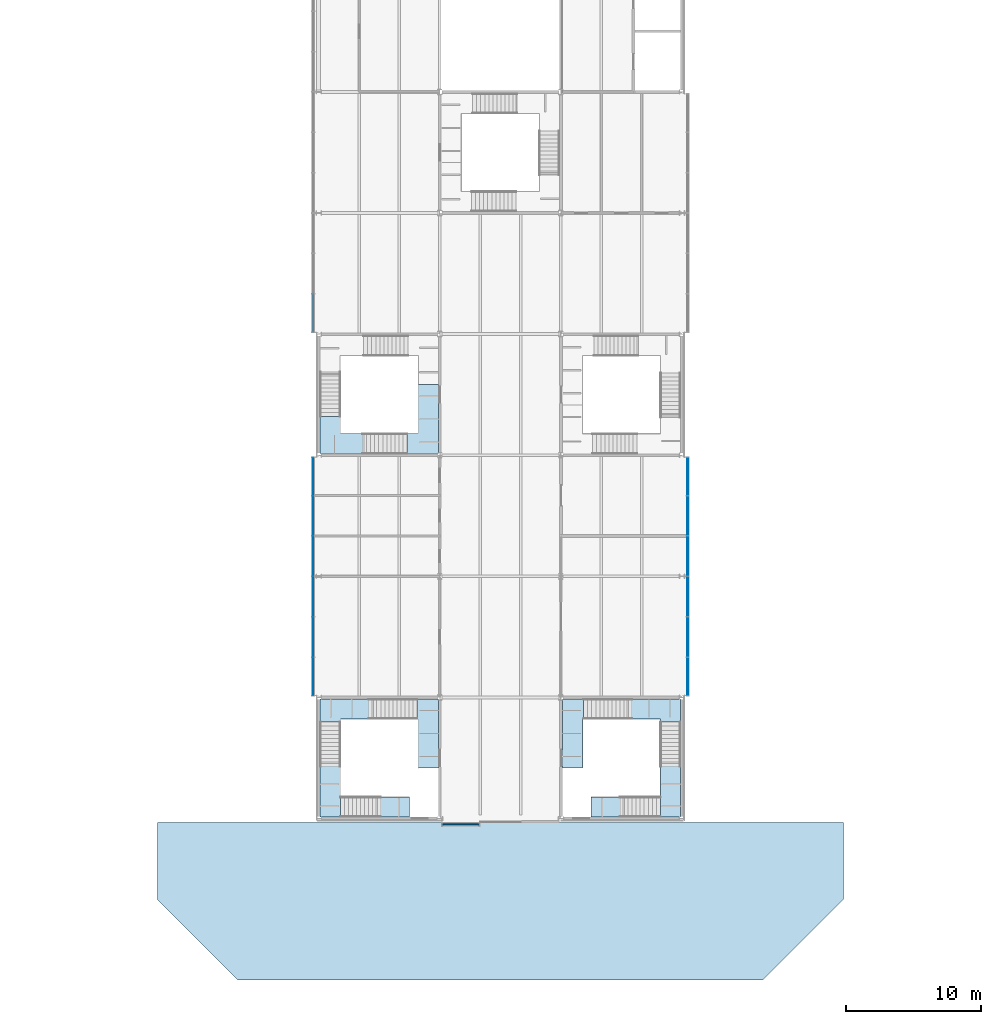
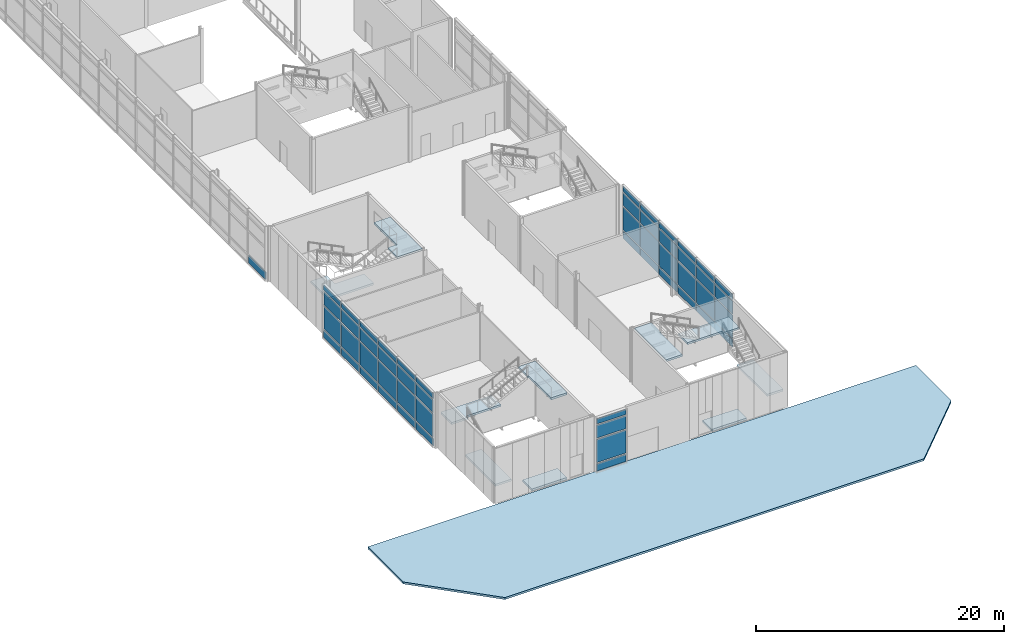
# One storey, part 29 of 56: 53 plates, 11 slabs, 7 elements without a shape of their own.
"""IFC4 building model written with IfcOpenShell, lengths in metres."""

import ifcopenshell
import ifcopenshell.guid

model = None  # the IFC model being written
_history = None  # IfcOwnerHistory: only IFC2X3 demands one
_inside = {}  # id of a spatial element -> (the spatial element, [elements in it])
_under = {}  # id of a project, library or spatial element -> (it, [spatial elements below it])
_declared = {}  # id of a project -> (the project, [libraries it declares])
_typed = {}  # id of a type object -> (the type object, [elements of that type])
_made_of = {}  # id of a material, layer set ... -> (it, [elements and type objects made of it])


def new_model(schema):
    """Start an empty IFC model of exactly this schema.

    Asked for "IFC4X3", IfcOpenShell would pick the latest addendum, in which some entities
    have other attributes; the version numbers below select the first issue.
    IFC2X3 requires an IfcOwnerHistory on every rooted entity: one is made here for all.
    """
    global model, _history
    if schema == "IFC4X3":
        model = ifcopenshell.file(schema_version=(4, 3, 0, 0))
    else:
        model = ifcopenshell.file(schema=schema)
    _inside.clear()
    _under.clear()
    _declared.clear()
    _typed.clear()
    _made_of.clear()
    _history = None
    if model.schema == "IFC2X3":
        org = make("IfcOrganization", Name="unknown")
        user = make(
            "IfcPersonAndOrganization",
            ThePerson=make("IfcPerson", FamilyName="unknown"),
            TheOrganization=org,
        )
        app = make(
            "IfcApplication",
            ApplicationDeveloper=org,
            Version="unknown",
            ApplicationFullName="unknown",
            ApplicationIdentifier="unknown",
        )
        _history = make(
            "IfcOwnerHistory",
            OwningUser=user,
            OwningApplication=app,
            ChangeAction="ADDED",
            CreationDate=0,
        )
    return model


def make(cls, **values):
    """One entity of the class cls with the attributes given. An attribute that is None is left unset."""
    return model.create_entity(
        cls, **{name: value for name, value in values.items() if value is not None}
    )


def rooted(cls, **values):
    """An entity with a GlobalId (a new one), such as an element, a storey or a relation."""
    return make(cls, GlobalId=ifcopenshell.guid.new(), OwnerHistory=_history, **values)


def si_unit(unit_type, name, prefix=None):
    """IfcSIUnit, for example si_unit("LENGTHUNIT", "METRE", prefix="MILLI")."""
    return make("IfcSIUnit", UnitType=unit_type, Prefix=prefix, Name=name)


def assignment(units):
    """IfcUnitAssignment: the units of a project."""
    return None if units is None else make("IfcUnitAssignment", Units=units)


def point(xyz):
    """IfcCartesianPoint."""
    return None if xyz is None else make("IfcCartesianPoint", Coordinates=xyz)


def direction(xyz):
    """IfcDirection."""
    return None if xyz is None else make("IfcDirection", DirectionRatios=xyz)


def frame(location, z_axis=None, x_axis=None):
    """IfcAxis2Placement3D, a coordinate frame: its origin and axes. An axis left out is left unset."""
    return make(
        "IfcAxis2Placement3D",
        Location=point(location),
        Axis=direction(z_axis),
        RefDirection=direction(x_axis),
    )


def frame_2d(location, x_axis=None):
    """IfcAxis2Placement2D, a coordinate frame in the plane: its origin and x axis."""
    return make(
        "IfcAxis2Placement2D", Location=point(location), RefDirection=direction(x_axis)
    )


def origin():
    """The frame at (0, 0, 0) with its axes left unset."""
    return frame((0.0, 0.0, 0.0))


def origin_2d():
    """The frame at (0, 0) in the plane with its x axis left unset."""
    return frame_2d((0.0, 0.0))


def place(relative_to, where):
    """IfcLocalPlacement: puts the frame where relative to a parent placement (None: the world)."""
    return make(
        "IfcLocalPlacement", PlacementRelTo=relative_to, RelativePlacement=where
    )


def context(
    kind, dimensions, precision=None, world=None, true_north=None, identifier=None
):
    """IfcGeometricRepresentationContext, for example the 3D "Model" context."""
    return make(
        "IfcGeometricRepresentationContext",
        ContextIdentifier=identifier,
        ContextType=kind,
        CoordinateSpaceDimension=dimensions,
        Precision=precision,
        WorldCoordinateSystem=world,
        TrueNorth=true_north,
    )


def subcontext(parent, identifier, kind, view, scale=None):
    """IfcGeometricRepresentationSubContext, for example "Body" below "Model"."""
    return make(
        "IfcGeometricRepresentationSubContext",
        ContextIdentifier=identifier,
        ContextType=kind,
        ParentContext=parent,
        TargetScale=scale,
        TargetView=view,
    )


def project(units=None, contexts=None):
    """IfcProject with its units and contexts."""
    return rooted(
        "IfcProject",
        Name="project",
        RepresentationContexts=contexts,
        UnitsInContext=assignment(units),
    )


def spatial(cls, under=None, at=None, **own):
    """A site, building, storey or space (cls), placed at a placement, below another one or the project."""
    s = rooted(cls, ObjectPlacement=at, **own)
    if under is not None:
        _under.setdefault(under.id(), (under, []))[1].append(s)
    return s


def polyline(points):
    """IfcPolyline through the points."""
    return make("IfcPolyline", Points=[point(p) for p in points])


def profile(cls, at=None, kind="AREA", **sizes):
    """A parametric profile (cls). Its sizes go by their IFC names, for example OverallWidth=200.0."""
    return make(cls, ProfileType=kind, Position=at, **sizes)


def rectangle(**sizes):
    """IfcRectangleProfileDef."""
    return profile("IfcRectangleProfileDef", **sizes)


def outline(outer, holes=None, kind="AREA"):
    """IfcArbitraryClosedProfileDef: a profile drawn as a closed curve; with holes, ...WithVoids."""
    if holes is None:
        return make("IfcArbitraryClosedProfileDef", ProfileType=kind, OuterCurve=outer)
    return make(
        "IfcArbitraryProfileDefWithVoids",
        ProfileType=kind,
        OuterCurve=outer,
        InnerCurves=holes,
    )


def extrude(swept, where, along, depth):
    """IfcExtrudedAreaSolid: the profile swept, set in the frame where, extruded along a direction by depth."""
    return make(
        "IfcExtrudedAreaSolid",
        SweptArea=swept,
        Position=where,
        ExtrudedDirection=direction(along),
        Depth=depth,
    )


def shape(context_of_items, identifier, shape_type, items):
    """IfcShapeRepresentation: the items that make up one representation, for example the "Body"."""
    return make(
        "IfcShapeRepresentation",
        ContextOfItems=context_of_items,
        RepresentationIdentifier=identifier,
        RepresentationType=shape_type,
        Items=items,
    )


def material(Name=None, Category=None):
    """IfcMaterial."""
    return make("IfcMaterial", Name=Name, Category=Category)


def layer(
    of_material, thickness, ventilated=None, Name=None, Category=None, Priority=None
):
    """IfcMaterialLayer: one layer of a wall or slab, of a material (None: an air gap)."""
    return make(
        "IfcMaterialLayer",
        Material=of_material,
        LayerThickness=thickness,
        IsVentilated=ventilated,
        Name=Name,
        Category=Category,
        Priority=Priority,
    )


def layer_set(layers, Name=None):
    """IfcMaterialLayerSet."""
    return make("IfcMaterialLayerSet", MaterialLayers=layers, LayerSetName=Name)


def made_of(thing, what):
    """Note that an element or type object is made of a material, layer set ...; save() writes the relation."""
    if what is not None:
        _made_of.setdefault(what.id(), (what, []))[1].append(thing)
    return thing


def type_object(cls, material=None, **own):
    """A type object (cls), such as IfcWallType, which elements share."""
    return made_of(rooted(cls, **own), material)


def element(
    cls,
    number,
    at=None,
    inside=None,
    cuts=None,
    type_object=None,
    material=None,
    context=None,
    identifier="Body",
    shape_type=None,
    held_by="IfcProductDefinitionShape",
    body=None,
    shapes=None,
    **own,
):
    """One element of the class cls, such as IfcWall. Its Tag is "e" and its number.

    at: its placement. inside: the storey or other place that contains it. cuts: it is an
    opening in that element (IfcRelVoidsElement). A single representation is given by context,
    identifier, shape_type and body (its items); several are given by shapes. held_by: the class
    of the entity that holds the representations. save() writes the other relations.
    """
    e = rooted(cls, Tag="e%d" % number, ObjectPlacement=at, **own)
    if body is not None:
        shapes = [shape(context, identifier, shape_type, body)]
    if shapes is not None:
        e.Representation = make(held_by, Representations=shapes)
    if inside is not None:
        _inside.setdefault(inside.id(), (inside, []))[1].append(e)
    if cuts is not None:
        rooted(
            "IfcRelVoidsElement", RelatingBuildingElement=cuts, RelatedOpeningElement=e
        )
    if type_object is not None:
        _typed.setdefault(type_object.id(), (type_object, []))[1].append(e)
    return made_of(e, material)


def aggregate(whole, parts):
    """IfcRelAggregates: a whole, such as a stair, and the parts it consists of."""
    return rooted("IfcRelAggregates", RelatingObject=whole, RelatedObjects=parts)


def save(model, path):
    """Write the relations noted so far, then the file.

    IfcRelAggregates (storeys below a building ...), IfcRelContainedInSpatialStructure (elements
    in a storey), IfcRelDefinesByType, IfcRelAssociatesMaterial and IfcRelDeclares: one each for
    every whole, place, type object, material and project.
    """
    for whole, parts in _under.values():
        aggregate(whole, parts)
    for where, things in _inside.values():
        rooted(
            "IfcRelContainedInSpatialStructure",
            RelatedElements=things,
            RelatingStructure=where,
        )
    for kind, things in _typed.values():
        rooted("IfcRelDefinesByType", RelatedObjects=things, RelatingType=kind)
    for what, things in _made_of.values():
        rooted("IfcRelAssociatesMaterial", RelatedObjects=things, RelatingMaterial=what)
    for by, libraries in _declared.values():
        rooted("IfcRelDeclares", RelatingContext=by, RelatedDefinitions=libraries)
    model.write(path)


model = new_model("IFC4")

# Units and contexts
model_context = context("Model", 3, precision=1e-05, world=origin(), true_north=direction((0.0, 1.0)))
body_context = subcontext(model_context, "Body", "Model", "MODEL_VIEW")
ifc_project = project(units=[si_unit("LENGTHUNIT", "METRE"), si_unit("AREAUNIT", "SQUARE_METRE"), si_unit("VOLUMEUNIT", "CUBIC_METRE"), si_unit("PLANEANGLEUNIT", "RADIAN"), si_unit("MASSUNIT", "GRAM", prefix="KILO")], contexts=[model_context])

# Site, building, storey
site_placement = place(None, origin())
site = spatial("IfcSite", under=ifc_project, at=site_placement, CompositionType="ELEMENT")
building_placement = place(site_placement, origin())
building = spatial("IfcBuilding", under=site, at=building_placement, Name="Azimuth Sports and Learning Centre", CompositionType="ELEMENT")
storey_placement = place(building_placement, frame((0.0, 0.0, 5.39990234375)))
storey = spatial("IfcBuildingStorey", under=building, at=storey_placement, Name="L01", CompositionType="ELEMENT", Elevation=5.39990234375)

# Stair, slabs
ifc_material_1 = material(Name="Concrete C32/40", Category="concrete")
stair_type = type_object("IfcStairType", Name="Square-well stair stem cell 5400 storey", PredefinedType="THREE_QUARTER_TURN_STAIR", material=ifc_material_1)
stair_1_placement = place(storey_placement, origin())
stair_1 = element("IfcStair", 1, at=stair_1_placement, inside=storey, type_object=stair_type, Name="Stair ST1 L01-L02", PredefinedType="THREE_QUARTER_TURN_STAIR")
ifc_material_2 = material(Name="Concrete C32/40", Category="concrete")
ifc_layer_1 = layer(ifc_material_2, 0.199951171875)
ifc_layer_set_1 = layer_set([ifc_layer_1], Name="Concrete C32/40")
slab_type_1 = type_object("IfcSlabType", Name="Concrete stair landing", PredefinedType="LANDING", material=ifc_layer_set_1)
slab_1_placement = place(storey_placement, frame((0.0, 0.0, -0.199951171875)))
slab_1 = element("IfcSlab", 2, at=slab_1_placement, type_object=slab_type_1, Name="Stair ST1 L01 landing 1", PredefinedType="LANDING", context=body_context, shape_type="SweptSolid", body=[
    extrude(outline(polyline([(75.510009765625, 0.110107421875), (78.75, 0.110107421875), (78.75, 1.610107421875), (75.510009765625, 1.610107421875), (75.510009765625, 0.110107421875)])), origin(), (0.0, 0.0, 1.0), 0.199951171875),
])
slab_2_placement = place(storey_placement, frame((0.0, 0.0, 1.4501953125)))
slab_2 = element("IfcSlab", 3, at=slab_2_placement, type_object=slab_type_1, Name="Stair ST1 L01 landing 2", PredefinedType="LANDING", context=body_context, shape_type="SweptSolid", body=[
    extrude(outline(polyline([(73.610107421875, 1.610107421875), (73.610107421875, 4.9599609375), (72.110107421875, 4.9599609375), (72.110107421875, 0.110107421875), (73.610595703125, 0.110107421875), (73.610595703125, 1.610107421875), (73.610107421875, 1.610107421875)])), origin(), (0.0, 0.0, 1.0), 0.199951171875),
])
slab_3_placement = place(storey_placement, frame((0.0, 0.0, 3.25)))
slab_3 = element("IfcSlab", 4, at=slab_3_placement, type_object=slab_type_1, Name="Stair ST1 L01 landing 3", PredefinedType="LANDING", context=body_context, shape_type="SweptSolid", body=[
    extrude(outline(polyline([(73.610107421875, 7.389892578125), (76.81005859375, 7.389892578125), (76.81005859375, 8.889892578125), (72.110107421875, 8.889892578125), (72.110107421875, 7.1591796875), (73.610107421875, 7.1591796875), (73.610107421875, 7.389892578125)])), origin(), (0.0, 0.0, 1.0), 0.2001953125),
])
slab_4_placement = place(storey_placement, frame((0.0, 0.0, 5.2001953125)))
slab_4 = element("IfcSlab", 5, at=slab_4_placement, type_object=slab_type_1, Name="Stair ST1 L01 landing 4", PredefinedType="LANDING", context=body_context, shape_type="SweptSolid", body=[
    extrude(outline(polyline([(79.389892578125, 7.389892578125), (79.389892578125, 3.75), (80.889892578125, 3.75), (80.889892578125, 8.889892578125), (79.309326171875, 8.889892578125), (79.309326171875, 7.389892578125), (79.389892578125, 7.389892578125)])), origin(), (0.0, 0.0, 1.0), 0.199951171875),
])
aggregate(stair_1, [slab_1, slab_2, slab_3, slab_4])

stair_2_placement = place(storey_placement, origin())
stair_2 = element("IfcStair", 6, at=stair_2_placement, inside=storey, type_object=stair_type, Name="Stair ST2 L01-L02", PredefinedType="THREE_QUARTER_TURN_STAIR")
slab_5_placement = place(storey_placement, frame((0.0, 0.0, -0.199951171875)))
slab_5 = element("IfcSlab", 7, at=slab_5_placement, type_object=slab_type_1, Name="Stair ST2 L01 landing 1", PredefinedType="LANDING", context=body_context, shape_type="SweptSolid", body=[
    extrude(outline(polyline([(95.489990234375, 0.110107421875), (95.489990234375, 1.610107421875), (92.25, 1.610107421875), (92.25, 0.110107421875), (95.489990234375, 0.110107421875)])), origin(), (0.0, 0.0, 1.0), 0.199951171875),
])
slab_6_placement = place(storey_placement, frame((0.0, 0.0, 1.4501953125)))
slab_6 = element("IfcSlab", 8, at=slab_6_placement, type_object=slab_type_1, Name="Stair ST2 L01 landing 2", PredefinedType="LANDING", context=body_context, shape_type="SweptSolid", body=[
    extrude(outline(polyline([(97.389892578125, 1.610107421875), (97.389404296875, 1.610107421875), (97.389404296875, 0.110107421875), (98.889892578125, 0.110107421875), (98.889892578125, 4.9599609375), (97.389892578125, 4.9599609375), (97.389892578125, 1.610107421875)])), origin(), (0.0, 0.0, 1.0), 0.199951171875),
])
slab_7_placement = place(storey_placement, frame((0.0, 0.0, 3.25)))
slab_7 = element("IfcSlab", 9, at=slab_7_placement, type_object=slab_type_1, Name="Stair ST2 L01 landing 3", PredefinedType="LANDING", context=body_context, shape_type="SweptSolid", body=[
    extrude(outline(polyline([(97.389892578125, 7.389892578125), (97.389892578125, 7.1591796875), (98.889892578125, 7.1591796875), (98.889892578125, 8.889892578125), (94.18994140625, 8.889892578125), (94.18994140625, 7.389892578125), (97.389892578125, 7.389892578125)])), origin(), (0.0, 0.0, 1.0), 0.2001953125),
])
slab_8_placement = place(storey_placement, frame((0.0, 0.0, 5.2001953125)))
slab_8 = element("IfcSlab", 10, at=slab_8_placement, type_object=slab_type_1, Name="Stair ST2 L01 landing 4", PredefinedType="LANDING", context=body_context, shape_type="SweptSolid", body=[
    extrude(outline(polyline([(91.610107421875, 7.389892578125), (91.690673828125, 7.389892578125), (91.690673828125, 8.889892578125), (90.110107421875, 8.889892578125), (90.110107421875, 3.75), (91.610107421875, 3.75), (91.610107421875, 7.389892578125)])), origin(), (0.0, 0.0, 1.0), 0.199951171875),
])
aggregate(stair_2, [slab_5, slab_6, slab_7, slab_8])

stair_3_placement = place(storey_placement, origin())
stair_3 = element("IfcStair", 11, at=stair_3_placement, inside=storey, type_object=stair_type, Name="Stair ST3 L01-L02", PredefinedType="THREE_QUARTER_TURN_STAIR")
slab_9_placement = place(storey_placement, frame((0.0, 0.0, 3.400146484375)))
slab_9 = element("IfcSlab", 12, at=slab_9_placement, type_object=slab_type_1, Name="Stair ST3 L01 landing 3", PredefinedType="LANDING", context=body_context, shape_type="SweptSolid", body=[
    extrude(outline(polyline([(73.610107421875, 28.610107421875), (73.610107421875, 29.890625), (72.110107421875, 29.890625), (72.110107421875, 27.110107421875), (76.360107421875, 27.110107421875), (76.360107421875, 28.610107421875), (73.610107421875, 28.610107421875)])), origin(), (0.0, 0.0, 1.0), 0.199951171875),
])
slab_10_placement = place(storey_placement, frame((0.0, 0.0, 5.2001953125)))
slab_10 = element("IfcSlab", 13, at=slab_10_placement, type_object=slab_type_1, Name="Stair ST3 L01 landing 4", PredefinedType="LANDING", context=body_context, shape_type="SweptSolid", body=[
    extrude(outline(polyline([(79.389892578125, 28.610107421875), (78.559326171875, 28.610107421875), (78.559326171875, 27.110107421875), (80.889892578125, 27.110107421875), (80.889892578125, 32.25), (79.389892578125, 32.25), (79.389892578125, 28.610107421875)])), origin(), (0.0, 0.0, 1.0), 0.199951171875),
])
aggregate(stair_3, [slab_9, slab_10])

# Slab
ifc_material_3 = material(Name="Concrete C25/30", Category="concrete")
ifc_layer_2 = layer(ifc_material_3, 0.199951171875)
ifc_layer_set_2 = layer_set([ifc_layer_2], Name="Concrete C25/30")
slab_type_2 = type_object("IfcSlabType", Name="Paving slab 200", PredefinedType="USERDEFINED", material=ifc_layer_set_2)
slab_11_placement = place(storey_placement, frame((0.0, 0.0, -0.199951171875)))
element("IfcSlab", 14, at=slab_11_placement, inside=storey, type_object=slab_type_2, Name="Slab Upper plaza paving L01", ObjectType="PAVING", PredefinedType="USERDEFINED", context=body_context, shape_type="SweptSolid", body=[
    extrude(outline(polyline([(66.0, -12.0), (105.0, -12.0), (111.0, -6.0), (111.0, -0.300048828125), (60.0, -0.300048828125), (60.0, -6.0), (66.0, -12.0)])), origin(), (0.0, 0.0, 1.0), 0.199951171875),
])

# Curtain wall, plate
ifc_material_4 = material(Name="Aluminium and glass", Category="aluminium")
curtain_wall_type_1 = type_object("IfcCurtainWallType", Name="Curtain wall podium stem 240", PredefinedType="NOTDEFINED", material=ifc_material_4)
curtain_wall_1_placement = place(storey_placement, origin())
curtain_wall_1 = element("IfcCurtainWall", 15, at=curtain_wall_1_placement, inside=storey, type_object=curtain_wall_type_1, Name="Curtain wall CW01-003", PredefinedType="NOTDEFINED")
ifc_material_5 = material(Name="Insulated aluminium panel", Category="aluminium")
ifc_layer_3 = layer(ifc_material_5, 0.06005859375)
ifc_layer_set_3 = layer_set([ifc_layer_3], Name="Insulated aluminium panel")
plate_type_1 = type_object("IfcPlateType", Name="Spandrel panel 60 mm", PredefinedType="CURTAIN_PANEL", material=ifc_layer_set_3)
plate_1_placement = place(storey_placement, frame((71.580078125, 37.570068359375, 0.1201171875), z_axis=(0.0, 0.0, 1.0), x_axis=(0.0, -1.0, 0.0)))
plate_1 = element("IfcPlate", 16, at=plate_1_placement, type_object=plate_type_1, Name="CW01-003 panel 18.1", PredefinedType="CURTAIN_PANEL", context=body_context, shape_type="SweptSolid", body=[
    extrude(rectangle(XDim=2.780029296875, YDim=0.06005859375, at=origin_2d()), origin(), (0.0, 0.0, 1.0), 0.719970703125),
])
aggregate(curtain_wall_1, [plate_1])

# Curtain wall, plates
curtain_wall_2_placement = place(storey_placement, origin())
curtain_wall_2 = element("IfcCurtainWall", 17, at=curtain_wall_2_placement, inside=storey, type_object=curtain_wall_type_1, Name="Curtain wall CW01-004", PredefinedType="NOTDEFINED")
plate_2_placement = place(storey_placement, frame((71.580078125, 25.429931640625, 0.1201171875), z_axis=(0.0, 0.0, 1.0), x_axis=(0.0, -1.0, 0.0)))
plate_2 = element("IfcPlate", 18, at=plate_2_placement, type_object=plate_type_1, Name="CW01-004 panel 1.1", PredefinedType="CURTAIN_PANEL", context=body_context, shape_type="SweptSolid", body=[
    extrude(rectangle(XDim=2.780029296875, YDim=0.06005859375, at=origin_2d()), origin(), (0.0, 0.0, 1.0), 0.719970703125),
])
plate_3_placement = place(storey_placement, frame((71.580078125, 25.429931640625, 4.760009765625), z_axis=(0.0, 0.0, 1.0), x_axis=(0.0, -1.0, 0.0)))
plate_3 = element("IfcPlate", 19, at=plate_3_placement, type_object=plate_type_1, Name="CW01-004 panel 1.4", PredefinedType="CURTAIN_PANEL", context=body_context, shape_type="SweptSolid", body=[
    extrude(rectangle(XDim=2.780029296875, YDim=0.06005859375, at=origin_2d()), origin(), (0.0, 0.0, 1.0), 0.52001953125),
])
plate_4_placement = place(storey_placement, frame((71.580078125, 22.5, 0.1201171875), z_axis=(0.0, 0.0, 1.0), x_axis=(0.0, -1.0, 0.0)))
plate_4 = element("IfcPlate", 20, at=plate_4_placement, type_object=plate_type_1, Name="CW01-004 panel 2.1", PredefinedType="CURTAIN_PANEL", context=body_context, shape_type="SweptSolid", body=[
    extrude(rectangle(XDim=2.919921875, YDim=0.06005859375, at=origin_2d()), origin(), (0.0, 0.0, 1.0), 0.719970703125),
])
plate_5_placement = place(storey_placement, frame((71.580078125, 22.5, 4.760009765625), z_axis=(0.0, 0.0, 1.0), x_axis=(0.0, -1.0, 0.0)))
plate_5 = element("IfcPlate", 21, at=plate_5_placement, type_object=plate_type_1, Name="CW01-004 panel 2.4", PredefinedType="CURTAIN_PANEL", context=body_context, shape_type="SweptSolid", body=[
    extrude(rectangle(XDim=2.919921875, YDim=0.06005859375, at=origin_2d()), origin(), (0.0, 0.0, 1.0), 0.52001953125),
])
plate_6_placement = place(storey_placement, frame((71.580078125, 19.5, 0.1201171875), z_axis=(0.0, 0.0, 1.0), x_axis=(0.0, -1.0, 0.0)))
plate_6 = element("IfcPlate", 22, at=plate_6_placement, type_object=plate_type_1, Name="CW01-004 panel 3.1", PredefinedType="CURTAIN_PANEL", context=body_context, shape_type="SweptSolid", body=[
    extrude(rectangle(XDim=2.919921875, YDim=0.06005859375, at=origin_2d()), origin(), (0.0, 0.0, 1.0), 0.719970703125),
])
plate_7_placement = place(storey_placement, frame((71.580078125, 19.5, 4.760009765625), z_axis=(0.0, 0.0, 1.0), x_axis=(0.0, -1.0, 0.0)))
plate_7 = element("IfcPlate", 23, at=plate_7_placement, type_object=plate_type_1, Name="CW01-004 panel 3.4", PredefinedType="CURTAIN_PANEL", context=body_context, shape_type="SweptSolid", body=[
    extrude(rectangle(XDim=2.919921875, YDim=0.06005859375, at=origin_2d()), origin(), (0.0, 0.0, 1.0), 0.52001953125),
])
plate_8_placement = place(storey_placement, frame((71.580078125, 16.5, 0.1201171875), z_axis=(0.0, 0.0, 1.0), x_axis=(0.0, -1.0, 0.0)))
plate_8 = element("IfcPlate", 24, at=plate_8_placement, type_object=plate_type_1, Name="CW01-004 panel 4.1", PredefinedType="CURTAIN_PANEL", context=body_context, shape_type="SweptSolid", body=[
    extrude(rectangle(XDim=2.919921875, YDim=0.06005859375, at=origin_2d()), origin(), (0.0, 0.0, 1.0), 0.719970703125),
])
plate_9_placement = place(storey_placement, frame((71.580078125, 16.5, 4.760009765625), z_axis=(0.0, 0.0, 1.0), x_axis=(0.0, -1.0, 0.0)))
plate_9 = element("IfcPlate", 25, at=plate_9_placement, type_object=plate_type_1, Name="CW01-004 panel 4.4", PredefinedType="CURTAIN_PANEL", context=body_context, shape_type="SweptSolid", body=[
    extrude(rectangle(XDim=2.919921875, YDim=0.06005859375, at=origin_2d()), origin(), (0.0, 0.0, 1.0), 0.52001953125),
])
plate_10_placement = place(storey_placement, frame((71.580078125, 13.5, 0.1201171875), z_axis=(0.0, 0.0, 1.0), x_axis=(0.0, -1.0, 0.0)))
plate_10 = element("IfcPlate", 26, at=plate_10_placement, type_object=plate_type_1, Name="CW01-004 panel 5.1", PredefinedType="CURTAIN_PANEL", context=body_context, shape_type="SweptSolid", body=[
    extrude(rectangle(XDim=2.919921875, YDim=0.06005859375, at=origin_2d()), origin(), (0.0, 0.0, 1.0), 0.719970703125),
])
plate_11_placement = place(storey_placement, frame((71.580078125, 13.5, 4.760009765625), z_axis=(0.0, 0.0, 1.0), x_axis=(0.0, -1.0, 0.0)))
plate_11 = element("IfcPlate", 27, at=plate_11_placement, type_object=plate_type_1, Name="CW01-004 panel 5.4", PredefinedType="CURTAIN_PANEL", context=body_context, shape_type="SweptSolid", body=[
    extrude(rectangle(XDim=2.919921875, YDim=0.06005859375, at=origin_2d()), origin(), (0.0, 0.0, 1.0), 0.52001953125),
])
plate_12_placement = place(storey_placement, frame((71.580078125, 10.570068359375, 0.1201171875), z_axis=(0.0, 0.0, 1.0), x_axis=(0.0, -1.0, 0.0)))
plate_12 = element("IfcPlate", 28, at=plate_12_placement, type_object=plate_type_1, Name="CW01-004 panel 6.1", PredefinedType="CURTAIN_PANEL", context=body_context, shape_type="SweptSolid", body=[
    extrude(rectangle(XDim=2.780029296875, YDim=0.06005859375, at=origin_2d()), origin(), (0.0, 0.0, 1.0), 0.719970703125),
])
plate_13_placement = place(storey_placement, frame((71.580078125, 10.570068359375, 4.760009765625), z_axis=(0.0, 0.0, 1.0), x_axis=(0.0, -1.0, 0.0)))
plate_13 = element("IfcPlate", 29, at=plate_13_placement, type_object=plate_type_1, Name="CW01-004 panel 6.4", PredefinedType="CURTAIN_PANEL", context=body_context, shape_type="SweptSolid", body=[
    extrude(rectangle(XDim=2.780029296875, YDim=0.06005859375, at=origin_2d()), origin(), (0.0, 0.0, 1.0), 0.52001953125),
])

curtain_wall_3_placement = place(storey_placement, origin())
curtain_wall_3 = element("IfcCurtainWall", 30, at=curtain_wall_3_placement, inside=storey, type_object=curtain_wall_type_1, Name="Curtain wall CW01-006", PredefinedType="NOTDEFINED")
plate_14_placement = place(storey_placement, frame((99.419921875, 10.570068359375, 0.1201171875), z_axis=(0.0, 0.0, 1.0), x_axis=(0.0, 1.0, 0.0)))
plate_14 = element("IfcPlate", 31, at=plate_14_placement, type_object=plate_type_1, Name="CW01-006 panel 1.1", PredefinedType="CURTAIN_PANEL", context=body_context, shape_type="SweptSolid", body=[
    extrude(rectangle(XDim=2.780029296875, YDim=0.06005859375, at=origin_2d()), origin(), (0.0, 0.0, 1.0), 0.719970703125),
])
plate_15_placement = place(storey_placement, frame((99.419921875, 10.570068359375, 4.760009765625), z_axis=(0.0, 0.0, 1.0), x_axis=(0.0, 1.0, 0.0)))
plate_15 = element("IfcPlate", 32, at=plate_15_placement, type_object=plate_type_1, Name="CW01-006 panel 1.4", PredefinedType="CURTAIN_PANEL", context=body_context, shape_type="SweptSolid", body=[
    extrude(rectangle(XDim=2.780029296875, YDim=0.06005859375, at=origin_2d()), origin(), (0.0, 0.0, 1.0), 0.52001953125),
])
plate_16_placement = place(storey_placement, frame((99.419921875, 13.5, 0.1201171875), z_axis=(0.0, 0.0, 1.0), x_axis=(0.0, 1.0, 0.0)))
plate_16 = element("IfcPlate", 33, at=plate_16_placement, type_object=plate_type_1, Name="CW01-006 panel 2.1", PredefinedType="CURTAIN_PANEL", context=body_context, shape_type="SweptSolid", body=[
    extrude(rectangle(XDim=2.919921875, YDim=0.06005859375, at=origin_2d()), origin(), (0.0, 0.0, 1.0), 0.719970703125),
])
plate_17_placement = place(storey_placement, frame((99.419921875, 13.5, 4.760009765625), z_axis=(0.0, 0.0, 1.0), x_axis=(0.0, 1.0, 0.0)))
plate_17 = element("IfcPlate", 34, at=plate_17_placement, type_object=plate_type_1, Name="CW01-006 panel 2.4", PredefinedType="CURTAIN_PANEL", context=body_context, shape_type="SweptSolid", body=[
    extrude(rectangle(XDim=2.919921875, YDim=0.06005859375, at=origin_2d()), origin(), (0.0, 0.0, 1.0), 0.52001953125),
])
plate_18_placement = place(storey_placement, frame((99.419921875, 16.5, 0.1201171875), z_axis=(0.0, 0.0, 1.0), x_axis=(0.0, 1.0, 0.0)))
plate_18 = element("IfcPlate", 35, at=plate_18_placement, type_object=plate_type_1, Name="CW01-006 panel 3.1", PredefinedType="CURTAIN_PANEL", context=body_context, shape_type="SweptSolid", body=[
    extrude(rectangle(XDim=2.919921875, YDim=0.06005859375, at=origin_2d()), origin(), (0.0, 0.0, 1.0), 0.719970703125),
])
plate_19_placement = place(storey_placement, frame((99.419921875, 16.5, 4.760009765625), z_axis=(0.0, 0.0, 1.0), x_axis=(0.0, 1.0, 0.0)))
plate_19 = element("IfcPlate", 36, at=plate_19_placement, type_object=plate_type_1, Name="CW01-006 panel 3.4", PredefinedType="CURTAIN_PANEL", context=body_context, shape_type="SweptSolid", body=[
    extrude(rectangle(XDim=2.919921875, YDim=0.06005859375, at=origin_2d()), origin(), (0.0, 0.0, 1.0), 0.52001953125),
])
plate_20_placement = place(storey_placement, frame((99.419921875, 19.5, 0.1201171875), z_axis=(0.0, 0.0, 1.0), x_axis=(0.0, 1.0, 0.0)))
plate_20 = element("IfcPlate", 37, at=plate_20_placement, type_object=plate_type_1, Name="CW01-006 panel 4.1", PredefinedType="CURTAIN_PANEL", context=body_context, shape_type="SweptSolid", body=[
    extrude(rectangle(XDim=2.919921875, YDim=0.06005859375, at=origin_2d()), origin(), (0.0, 0.0, 1.0), 0.719970703125),
])
plate_21_placement = place(storey_placement, frame((99.419921875, 19.5, 4.760009765625), z_axis=(0.0, 0.0, 1.0), x_axis=(0.0, 1.0, 0.0)))
plate_21 = element("IfcPlate", 38, at=plate_21_placement, type_object=plate_type_1, Name="CW01-006 panel 4.4", PredefinedType="CURTAIN_PANEL", context=body_context, shape_type="SweptSolid", body=[
    extrude(rectangle(XDim=2.919921875, YDim=0.06005859375, at=origin_2d()), origin(), (0.0, 0.0, 1.0), 0.52001953125),
])
plate_22_placement = place(storey_placement, frame((99.419921875, 22.5, 0.1201171875), z_axis=(0.0, 0.0, 1.0), x_axis=(0.0, 1.0, 0.0)))
plate_22 = element("IfcPlate", 39, at=plate_22_placement, type_object=plate_type_1, Name="CW01-006 panel 5.1", PredefinedType="CURTAIN_PANEL", context=body_context, shape_type="SweptSolid", body=[
    extrude(rectangle(XDim=2.919921875, YDim=0.06005859375, at=origin_2d()), origin(), (0.0, 0.0, 1.0), 0.719970703125),
])
plate_23_placement = place(storey_placement, frame((99.419921875, 22.5, 4.760009765625), z_axis=(0.0, 0.0, 1.0), x_axis=(0.0, 1.0, 0.0)))
plate_23 = element("IfcPlate", 40, at=plate_23_placement, type_object=plate_type_1, Name="CW01-006 panel 5.4", PredefinedType="CURTAIN_PANEL", context=body_context, shape_type="SweptSolid", body=[
    extrude(rectangle(XDim=2.919921875, YDim=0.06005859375, at=origin_2d()), origin(), (0.0, 0.0, 1.0), 0.52001953125),
])
plate_24_placement = place(storey_placement, frame((99.419921875, 25.429931640625, 0.1201171875), z_axis=(0.0, 0.0, 1.0), x_axis=(0.0, 1.0, 0.0)))
plate_24 = element("IfcPlate", 41, at=plate_24_placement, type_object=plate_type_1, Name="CW01-006 panel 6.1", PredefinedType="CURTAIN_PANEL", context=body_context, shape_type="SweptSolid", body=[
    extrude(rectangle(XDim=2.780029296875, YDim=0.06005859375, at=origin_2d()), origin(), (0.0, 0.0, 1.0), 0.719970703125),
])
plate_25_placement = place(storey_placement, frame((99.419921875, 25.429931640625, 4.760009765625), z_axis=(0.0, 0.0, 1.0), x_axis=(0.0, 1.0, 0.0)))
plate_25 = element("IfcPlate", 42, at=plate_25_placement, type_object=plate_type_1, Name="CW01-006 panel 6.4", PredefinedType="CURTAIN_PANEL", context=body_context, shape_type="SweptSolid", body=[
    extrude(rectangle(XDim=2.780029296875, YDim=0.06005859375, at=origin_2d()), origin(), (0.0, 0.0, 1.0), 0.52001953125),
])

ifc_material_6 = material(Name="Aluminium and glass", Category="aluminium")
curtain_wall_type_2 = type_object("IfcCurtainWallType", Name="Curtain wall podium front 300", PredefinedType="NOTDEFINED", material=ifc_material_6)
curtain_wall_4_placement = place(storey_placement, origin())
curtain_wall_4 = element("IfcCurtainWall", 43, at=curtain_wall_4_placement, inside=storey, type_object=curtain_wall_type_2, Name="Curtain wall CW01-005", PredefinedType="NOTDEFINED")
ifc_material_7 = material(Name="Insulated aluminium panel", Category="aluminium")
ifc_layer_4 = layer(ifc_material_7, 0.080078125)
ifc_layer_set_4 = layer_set([ifc_layer_4], Name="Insulated aluminium panel")
plate_type_2 = type_object("IfcPlateType", Name="Spandrel panel 80 mm", PredefinedType="CURTAIN_PANEL", material=ifc_layer_set_4)
plate_26_placement = place(storey_placement, frame((82.550048828125, -0.449951171875, 0.14013671875), z_axis=(0.0, 0.0, 1.0), x_axis=(1.0, 0.0, 0.0)))
plate_26 = element("IfcPlate", 44, at=plate_26_placement, type_object=plate_type_2, Name="CW01-005 panel 1.1", PredefinedType="CURTAIN_PANEL", context=body_context, shape_type="SweptSolid", body=[
    extrude(rectangle(XDim=2.699951171875, YDim=0.080078125, at=origin_2d()), origin(), (0.0, 0.0, 1.0), 0.68994140625),
])
plate_27_placement = place(storey_placement, frame((82.550048828125, -0.449951171875, 4.77001953125), z_axis=(0.0, 0.0, 1.0), x_axis=(1.0, 0.0, 0.0)))
plate_27 = element("IfcPlate", 45, at=plate_27_placement, type_object=plate_type_2, Name="CW01-005 panel 1.4", PredefinedType="CURTAIN_PANEL", context=body_context, shape_type="SweptSolid", body=[
    extrude(rectangle(XDim=2.699951171875, YDim=0.080078125, at=origin_2d()), origin(), (0.0, 0.0, 1.0), 0.489990234375),
])

# Plate
ifc_material_8 = material(Name="Glass", Category="glass")
ifc_layer_5 = layer(ifc_material_8, 0.0439453125)
ifc_layer_set_5 = layer_set([ifc_layer_5], Name="Glass")
plate_type_3 = type_object("IfcPlateType", Name="Vision glass 44 mm", PredefinedType="CURTAIN_PANEL", material=ifc_layer_set_5)
plate_28_placement = place(storey_placement, frame((71.580078125, 25.429931640625, 0.9599609375), z_axis=(0.0, 0.0, 1.0), x_axis=(0.0, -1.0, 0.0)))
plate_28 = element("IfcPlate", 46, at=plate_28_placement, type_object=plate_type_3, Name="CW01-004 panel 1.2", PredefinedType="CURTAIN_PANEL", context=body_context, shape_type="SweptSolid", body=[
    extrude(rectangle(XDim=2.780029296875, YDim=0.0439453125, at=origin_2d()), origin(), (0.0, 0.0, 1.0), 2.280029296875),
])

plate_29_placement = place(storey_placement, frame((71.580078125, 25.429931640625, 3.35986328125), z_axis=(0.0, 0.0, 1.0), x_axis=(0.0, -1.0, 0.0)))
plate_29 = element("IfcPlate", 47, at=plate_29_placement, type_object=plate_type_3, Name="CW01-004 panel 1.3", PredefinedType="CURTAIN_PANEL", context=body_context, shape_type="SweptSolid", body=[
    extrude(rectangle(XDim=2.780029296875, YDim=0.0439453125, at=origin_2d()), origin(), (0.0, 0.0, 1.0), 1.280029296875),
])

plate_30_placement = place(storey_placement, frame((71.580078125, 22.5, 0.9599609375), z_axis=(0.0, 0.0, 1.0), x_axis=(0.0, -1.0, 0.0)))
plate_30 = element("IfcPlate", 48, at=plate_30_placement, type_object=plate_type_3, Name="CW01-004 panel 2.2", PredefinedType="CURTAIN_PANEL", context=body_context, shape_type="SweptSolid", body=[
    extrude(rectangle(XDim=2.919921875, YDim=0.0439453125, at=origin_2d()), origin(), (0.0, 0.0, 1.0), 2.280029296875),
])

plate_31_placement = place(storey_placement, frame((71.580078125, 22.5, 3.35986328125), z_axis=(0.0, 0.0, 1.0), x_axis=(0.0, -1.0, 0.0)))
plate_31 = element("IfcPlate", 49, at=plate_31_placement, type_object=plate_type_3, Name="CW01-004 panel 2.3", PredefinedType="CURTAIN_PANEL", context=body_context, shape_type="SweptSolid", body=[
    extrude(rectangle(XDim=2.919921875, YDim=0.0439453125, at=origin_2d()), origin(), (0.0, 0.0, 1.0), 1.280029296875),
])

plate_32_placement = place(storey_placement, frame((71.580078125, 19.5, 0.9599609375), z_axis=(0.0, 0.0, 1.0), x_axis=(0.0, -1.0, 0.0)))
plate_32 = element("IfcPlate", 50, at=plate_32_placement, type_object=plate_type_3, Name="CW01-004 panel 3.2", PredefinedType="CURTAIN_PANEL", context=body_context, shape_type="SweptSolid", body=[
    extrude(rectangle(XDim=2.919921875, YDim=0.0439453125, at=origin_2d()), origin(), (0.0, 0.0, 1.0), 2.280029296875),
])

plate_33_placement = place(storey_placement, frame((71.580078125, 19.5, 3.35986328125), z_axis=(0.0, 0.0, 1.0), x_axis=(0.0, -1.0, 0.0)))
plate_33 = element("IfcPlate", 51, at=plate_33_placement, type_object=plate_type_3, Name="CW01-004 panel 3.3", PredefinedType="CURTAIN_PANEL", context=body_context, shape_type="SweptSolid", body=[
    extrude(rectangle(XDim=2.919921875, YDim=0.0439453125, at=origin_2d()), origin(), (0.0, 0.0, 1.0), 1.280029296875),
])

plate_34_placement = place(storey_placement, frame((71.580078125, 16.5, 0.9599609375), z_axis=(0.0, 0.0, 1.0), x_axis=(0.0, -1.0, 0.0)))
plate_34 = element("IfcPlate", 52, at=plate_34_placement, type_object=plate_type_3, Name="CW01-004 panel 4.2", PredefinedType="CURTAIN_PANEL", context=body_context, shape_type="SweptSolid", body=[
    extrude(rectangle(XDim=2.919921875, YDim=0.0439453125, at=origin_2d()), origin(), (0.0, 0.0, 1.0), 2.280029296875),
])

plate_35_placement = place(storey_placement, frame((71.580078125, 16.5, 3.35986328125), z_axis=(0.0, 0.0, 1.0), x_axis=(0.0, -1.0, 0.0)))
plate_35 = element("IfcPlate", 53, at=plate_35_placement, type_object=plate_type_3, Name="CW01-004 panel 4.3", PredefinedType="CURTAIN_PANEL", context=body_context, shape_type="SweptSolid", body=[
    extrude(rectangle(XDim=2.919921875, YDim=0.0439453125, at=origin_2d()), origin(), (0.0, 0.0, 1.0), 1.280029296875),
])

plate_36_placement = place(storey_placement, frame((71.580078125, 13.5, 0.9599609375), z_axis=(0.0, 0.0, 1.0), x_axis=(0.0, -1.0, 0.0)))
plate_36 = element("IfcPlate", 54, at=plate_36_placement, type_object=plate_type_3, Name="CW01-004 panel 5.2", PredefinedType="CURTAIN_PANEL", context=body_context, shape_type="SweptSolid", body=[
    extrude(rectangle(XDim=2.919921875, YDim=0.0439453125, at=origin_2d()), origin(), (0.0, 0.0, 1.0), 2.280029296875),
])

plate_37_placement = place(storey_placement, frame((71.580078125, 13.5, 3.35986328125), z_axis=(0.0, 0.0, 1.0), x_axis=(0.0, -1.0, 0.0)))
plate_37 = element("IfcPlate", 55, at=plate_37_placement, type_object=plate_type_3, Name="CW01-004 panel 5.3", PredefinedType="CURTAIN_PANEL", context=body_context, shape_type="SweptSolid", body=[
    extrude(rectangle(XDim=2.919921875, YDim=0.0439453125, at=origin_2d()), origin(), (0.0, 0.0, 1.0), 1.280029296875),
])

plate_38_placement = place(storey_placement, frame((71.580078125, 10.570068359375, 0.9599609375), z_axis=(0.0, 0.0, 1.0), x_axis=(0.0, -1.0, 0.0)))
plate_38 = element("IfcPlate", 56, at=plate_38_placement, type_object=plate_type_3, Name="CW01-004 panel 6.2", PredefinedType="CURTAIN_PANEL", context=body_context, shape_type="SweptSolid", body=[
    extrude(rectangle(XDim=2.780029296875, YDim=0.0439453125, at=origin_2d()), origin(), (0.0, 0.0, 1.0), 2.280029296875),
])

plate_39_placement = place(storey_placement, frame((71.580078125, 10.570068359375, 3.35986328125), z_axis=(0.0, 0.0, 1.0), x_axis=(0.0, -1.0, 0.0)))
plate_39 = element("IfcPlate", 57, at=plate_39_placement, type_object=plate_type_3, Name="CW01-004 panel 6.3", PredefinedType="CURTAIN_PANEL", context=body_context, shape_type="SweptSolid", body=[
    extrude(rectangle(XDim=2.780029296875, YDim=0.0439453125, at=origin_2d()), origin(), (0.0, 0.0, 1.0), 1.280029296875),
])

aggregate(curtain_wall_2, [plate_2, plate_28, plate_29, plate_3, plate_4, plate_30, plate_31, plate_5, plate_6, plate_32, plate_33, plate_7, plate_8, plate_34, plate_35, plate_9, plate_10, plate_36, plate_37, plate_11, plate_12, plate_38, plate_39, plate_13])

plate_40_placement = place(storey_placement, frame((99.419921875, 10.570068359375, 0.9599609375), z_axis=(0.0, 0.0, 1.0), x_axis=(0.0, 1.0, 0.0)))
plate_40 = element("IfcPlate", 58, at=plate_40_placement, type_object=plate_type_3, Name="CW01-006 panel 1.2", PredefinedType="CURTAIN_PANEL", context=body_context, shape_type="SweptSolid", body=[
    extrude(rectangle(XDim=2.780029296875, YDim=0.0439453125, at=origin_2d()), origin(), (0.0, 0.0, 1.0), 2.280029296875),
])

plate_41_placement = place(storey_placement, frame((99.419921875, 10.570068359375, 3.35986328125), z_axis=(0.0, 0.0, 1.0), x_axis=(0.0, 1.0, 0.0)))
plate_41 = element("IfcPlate", 59, at=plate_41_placement, type_object=plate_type_3, Name="CW01-006 panel 1.3", PredefinedType="CURTAIN_PANEL", context=body_context, shape_type="SweptSolid", body=[
    extrude(rectangle(XDim=2.780029296875, YDim=0.0439453125, at=origin_2d()), origin(), (0.0, 0.0, 1.0), 1.280029296875),
])

plate_42_placement = place(storey_placement, frame((99.419921875, 13.5, 0.9599609375), z_axis=(0.0, 0.0, 1.0), x_axis=(0.0, 1.0, 0.0)))
plate_42 = element("IfcPlate", 60, at=plate_42_placement, type_object=plate_type_3, Name="CW01-006 panel 2.2", PredefinedType="CURTAIN_PANEL", context=body_context, shape_type="SweptSolid", body=[
    extrude(rectangle(XDim=2.919921875, YDim=0.0439453125, at=origin_2d()), origin(), (0.0, 0.0, 1.0), 2.280029296875),
])

plate_43_placement = place(storey_placement, frame((99.419921875, 13.5, 3.35986328125), z_axis=(0.0, 0.0, 1.0), x_axis=(0.0, 1.0, 0.0)))
plate_43 = element("IfcPlate", 61, at=plate_43_placement, type_object=plate_type_3, Name="CW01-006 panel 2.3", PredefinedType="CURTAIN_PANEL", context=body_context, shape_type="SweptSolid", body=[
    extrude(rectangle(XDim=2.919921875, YDim=0.0439453125, at=origin_2d()), origin(), (0.0, 0.0, 1.0), 1.280029296875),
])

plate_44_placement = place(storey_placement, frame((99.419921875, 16.5, 0.9599609375), z_axis=(0.0, 0.0, 1.0), x_axis=(0.0, 1.0, 0.0)))
plate_44 = element("IfcPlate", 62, at=plate_44_placement, type_object=plate_type_3, Name="CW01-006 panel 3.2", PredefinedType="CURTAIN_PANEL", context=body_context, shape_type="SweptSolid", body=[
    extrude(rectangle(XDim=2.919921875, YDim=0.0439453125, at=origin_2d()), origin(), (0.0, 0.0, 1.0), 2.280029296875),
])

plate_45_placement = place(storey_placement, frame((99.419921875, 16.5, 3.35986328125), z_axis=(0.0, 0.0, 1.0), x_axis=(0.0, 1.0, 0.0)))
plate_45 = element("IfcPlate", 63, at=plate_45_placement, type_object=plate_type_3, Name="CW01-006 panel 3.3", PredefinedType="CURTAIN_PANEL", context=body_context, shape_type="SweptSolid", body=[
    extrude(rectangle(XDim=2.919921875, YDim=0.0439453125, at=origin_2d()), origin(), (0.0, 0.0, 1.0), 1.280029296875),
])

plate_46_placement = place(storey_placement, frame((99.419921875, 19.5, 0.9599609375), z_axis=(0.0, 0.0, 1.0), x_axis=(0.0, 1.0, 0.0)))
plate_46 = element("IfcPlate", 64, at=plate_46_placement, type_object=plate_type_3, Name="CW01-006 panel 4.2", PredefinedType="CURTAIN_PANEL", context=body_context, shape_type="SweptSolid", body=[
    extrude(rectangle(XDim=2.919921875, YDim=0.0439453125, at=origin_2d()), origin(), (0.0, 0.0, 1.0), 2.280029296875),
])

plate_47_placement = place(storey_placement, frame((99.419921875, 19.5, 3.35986328125), z_axis=(0.0, 0.0, 1.0), x_axis=(0.0, 1.0, 0.0)))
plate_47 = element("IfcPlate", 65, at=plate_47_placement, type_object=plate_type_3, Name="CW01-006 panel 4.3", PredefinedType="CURTAIN_PANEL", context=body_context, shape_type="SweptSolid", body=[
    extrude(rectangle(XDim=2.919921875, YDim=0.0439453125, at=origin_2d()), origin(), (0.0, 0.0, 1.0), 1.280029296875),
])

plate_48_placement = place(storey_placement, frame((99.419921875, 22.5, 0.9599609375), z_axis=(0.0, 0.0, 1.0), x_axis=(0.0, 1.0, 0.0)))
plate_48 = element("IfcPlate", 66, at=plate_48_placement, type_object=plate_type_3, Name="CW01-006 panel 5.2", PredefinedType="CURTAIN_PANEL", context=body_context, shape_type="SweptSolid", body=[
    extrude(rectangle(XDim=2.919921875, YDim=0.0439453125, at=origin_2d()), origin(), (0.0, 0.0, 1.0), 2.280029296875),
])

plate_49_placement = place(storey_placement, frame((99.419921875, 22.5, 3.35986328125), z_axis=(0.0, 0.0, 1.0), x_axis=(0.0, 1.0, 0.0)))
plate_49 = element("IfcPlate", 67, at=plate_49_placement, type_object=plate_type_3, Name="CW01-006 panel 5.3", PredefinedType="CURTAIN_PANEL", context=body_context, shape_type="SweptSolid", body=[
    extrude(rectangle(XDim=2.919921875, YDim=0.0439453125, at=origin_2d()), origin(), (0.0, 0.0, 1.0), 1.280029296875),
])

plate_50_placement = place(storey_placement, frame((99.419921875, 25.429931640625, 0.9599609375), z_axis=(0.0, 0.0, 1.0), x_axis=(0.0, 1.0, 0.0)))
plate_50 = element("IfcPlate", 68, at=plate_50_placement, type_object=plate_type_3, Name="CW01-006 panel 6.2", PredefinedType="CURTAIN_PANEL", context=body_context, shape_type="SweptSolid", body=[
    extrude(rectangle(XDim=2.780029296875, YDim=0.0439453125, at=origin_2d()), origin(), (0.0, 0.0, 1.0), 2.280029296875),
])

plate_51_placement = place(storey_placement, frame((99.419921875, 25.429931640625, 3.35986328125), z_axis=(0.0, 0.0, 1.0), x_axis=(0.0, 1.0, 0.0)))
plate_51 = element("IfcPlate", 69, at=plate_51_placement, type_object=plate_type_3, Name="CW01-006 panel 6.3", PredefinedType="CURTAIN_PANEL", context=body_context, shape_type="SweptSolid", body=[
    extrude(rectangle(XDim=2.780029296875, YDim=0.0439453125, at=origin_2d()), origin(), (0.0, 0.0, 1.0), 1.280029296875),
])

aggregate(curtain_wall_3, [plate_14, plate_40, plate_41, plate_15, plate_16, plate_42, plate_43, plate_17, plate_18, plate_44, plate_45, plate_19, plate_20, plate_46, plate_47, plate_21, plate_22, plate_48, plate_49, plate_23, plate_24, plate_50, plate_51, plate_25])

ifc_material_9 = material(Name="Glass", Category="glass")
ifc_layer_6 = layer(ifc_material_9, 0.054931640625)
ifc_layer_set_6 = layer_set([ifc_layer_6], Name="Glass")
plate_type_4 = type_object("IfcPlateType", Name="Vision glass 55 mm", PredefinedType="CURTAIN_PANEL", material=ifc_layer_set_6)
plate_52_placement = place(storey_placement, frame((82.550048828125, -0.449951171875, 0.97021484375), z_axis=(0.0, 0.0, 1.0), x_axis=(1.0, 0.0, 0.0)))
plate_52 = element("IfcPlate", 70, at=plate_52_placement, type_object=plate_type_4, Name="CW01-005 panel 1.2", PredefinedType="CURTAIN_PANEL", context=body_context, shape_type="SweptSolid", body=[
    extrude(rectangle(XDim=2.699951171875, YDim=0.054931640625, at=origin_2d()), origin(), (0.0, 0.0, 1.0), 2.260009765625),
])

plate_53_placement = place(storey_placement, frame((82.550048828125, -0.449951171875, 3.3701171875), z_axis=(0.0, 0.0, 1.0), x_axis=(1.0, 0.0, 0.0)))
plate_53 = element("IfcPlate", 71, at=plate_53_placement, type_object=plate_type_4, Name="CW01-005 panel 1.3", PredefinedType="CURTAIN_PANEL", context=body_context, shape_type="SweptSolid", body=[
    extrude(rectangle(XDim=2.699951171875, YDim=0.054931640625, at=origin_2d()), origin(), (0.0, 0.0, 1.0), 1.260009765625),
])

aggregate(curtain_wall_4, [plate_26, plate_52, plate_53, plate_27])

save(model, "model.ifc")
